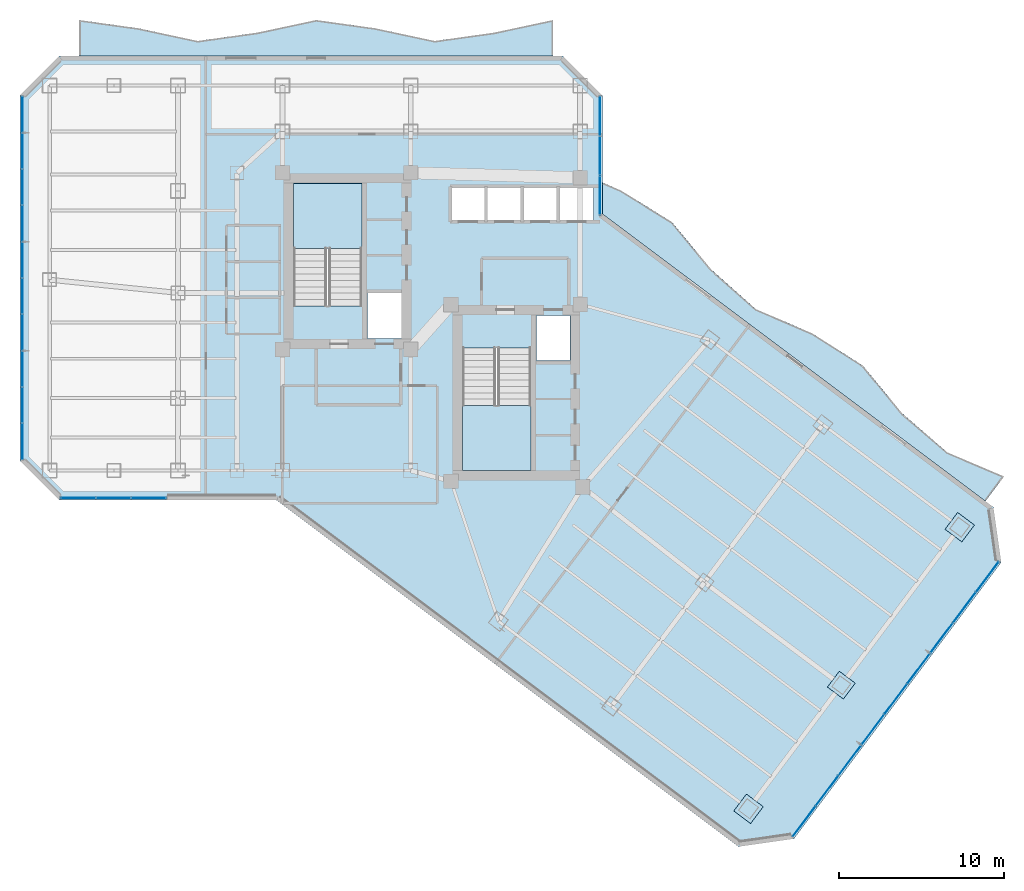
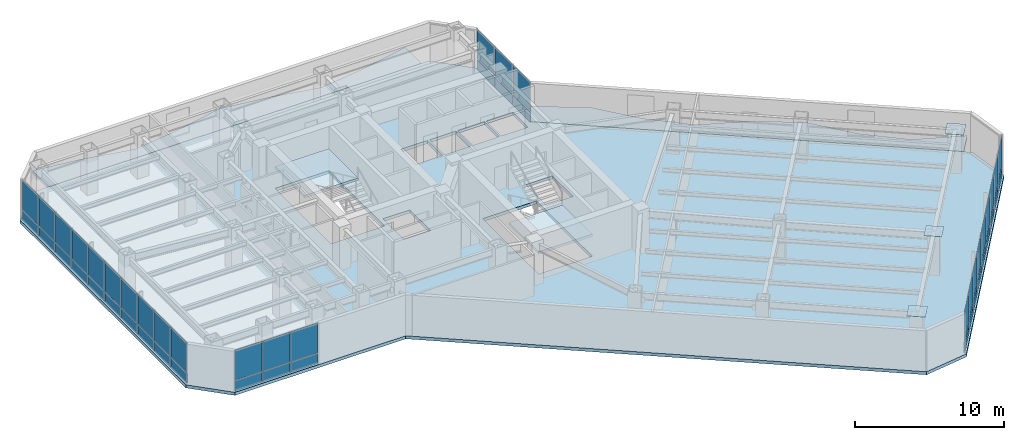
# One storey, part 20 of 29: 53 plates, 5 slabs, 6 elements without a shape of their own.
"""IFC4 building model written with IfcOpenShell, lengths in metres."""

from ifc_helpers import new_model, si_unit, direction, frame, origin, origin_2d, place, context, subcontext, project, spatial, polyline, rectangle, outline, extrude, material, layer, layer_set, type_object, element, aggregate, save


model = new_model("IFC4")

# Units and contexts
model_context = context("Model", 3, precision=1e-05, world=origin(), true_north=direction((0.0, 1.0)))
body_context = subcontext(model_context, "Body", "Model", "MODEL_VIEW")
ifc_project = project(units=[si_unit("LENGTHUNIT", "METRE"), si_unit("AREAUNIT", "SQUARE_METRE"), si_unit("VOLUMEUNIT", "CUBIC_METRE"), si_unit("PLANEANGLEUNIT", "RADIAN"), si_unit("MASSUNIT", "GRAM", prefix="KILO")], contexts=[model_context])

# Site, building, storey
site_placement = place(None, origin())
site = spatial("IfcSite", under=ifc_project, at=site_placement, CompositionType="ELEMENT")
building_placement = place(site_placement, origin())
building = spatial("IfcBuilding", under=site, at=building_placement, Name="Hatsunagi Terrace Concourse", CompositionType="ELEMENT")
storey_placement = place(building_placement, frame((0.0, 0.0, 126.449951171875)))
storey = spatial("IfcBuildingStorey", under=building, at=storey_placement, Name="L33", CompositionType="ELEMENT", Elevation=126.449951171875)

# Plates
ifc_material_1 = material(Name="Steel SN490C", Category="steel")
ifc_layer_1 = layer(ifc_material_1, 0.031982421875)
ifc_layer_set_1 = layer_set([ifc_layer_1], Name="ColumnEndCapPlate_32")
plate_type_1 = type_object("IfcPlateType", Name="ColumnEndCapPlate_32", PredefinedType="USERDEFINED", material=ifc_layer_set_1)
for number, where, z_axis, x_axis, name in (
    (1, (53.8798828125, 4.639892578125, 3.31787109375), (0.0, 0.0, 1.0), (0.799999996291, -0.600000004945, 0.0), "Hollow Column Top Cap Plate GP-03 L33-SES3"),
    (2, (66.719970703125, 21.760009765625, 3.31787109375), (0.0, 0.0, 1.0), (0.799999996291, -0.600000004945, 0.0), "Hollow Column Top Cap Plate GP-03 L33-SEN3"),
):
    element("IfcPlate", number, at=place(storey_placement, frame(where, z_axis=z_axis, x_axis=x_axis)), inside=storey, type_object=plate_type_1, Name=name, ObjectType="GUSSET_PLATE", PredefinedType="USERDEFINED", context=body_context, shape_type="SweptSolid", body=[
        extrude(rectangle(XDim=1.278076171875, YDim=1.278076171875, at=origin_2d()), origin(), (0.0, 0.0, 1.0), 0.031982421875),
    ])
plate_1_placement = place(storey_placement, frame((59.52001953125, 12.159912109375, 3.31787109375), z_axis=(0.0, 0.0, 1.0), x_axis=(0.799999996291, -0.600000004945, 0.0)))
element("IfcPlate", 3, at=plate_1_placement, inside=storey, type_object=plate_type_1, Name="Hollow Column Top Cap Plate GP-03 L33-SEM3", ObjectType="GUSSET_PLATE", PredefinedType="USERDEFINED", context=body_context, shape_type="SweptSolid", body=[
    extrude(rectangle(XDim=1.20703125, YDim=1.20703125, at=origin_2d()), origin(), (0.0, 0.0, 1.0), 0.031982421875),
])

# Curtain wall, plates
ifc_material_2 = material(Name="Anodised Aluminium Alloy 6063-T5", Category="aluminium")
ifc_layer_2 = layer(ifc_material_2, 0.199951171875)
ifc_layer_set_2 = layer_set([ifc_layer_2], Name="OfficeZone1_CW03")
curtain_wall_type = type_object("IfcCurtainWallType", Name="OfficeZone1_CW03", PredefinedType="NOTDEFINED", material=ifc_layer_set_2)
curtain_wall_1_placement = place(storey_placement, origin())
curtain_wall_1 = element("IfcCurtainWall", 4, at=curtain_wall_1_placement, inside=storey, type_object=curtain_wall_type, Name="Unitised Curtain Wall CW-03 CW-L33-03", PredefinedType="NOTDEFINED")
ifc_material_3 = material(Name="Warm Terracotta Ceramic Spandrel Panel", Category="masonry")
ifc_layer_3 = layer(ifc_material_3, 0.031982421875)
ifc_layer_set_3 = layer_set([ifc_layer_3], Name="CurtainWallSpandrelPanel_32")
plate_type_2 = type_object("IfcPlateType", Name="CurtainWallSpandrelPanel_32", PredefinedType="SHEET", material=ifc_layer_set_3)
plate_2_placement = place(storey_placement, frame((68.39697265625, 18.72998046875, 0.030029296875), z_axis=(0.0, 0.0, 1.0), x_axis=(-0.599969314634, -0.800023013105, 0.0)))
plate_2 = element("IfcPlate", 5, at=plate_2_placement, type_object=plate_type_2, Name="Terracotta Spandrel Panel SPN-01", PredefinedType="SHEET", context=body_context, shape_type="SweptSolid", body=[
    extrude(rectangle(XDim=2.264892578125, YDim=0.031982421875, at=origin_2d()), origin(), (0.0, 0.0, 1.0), 0.7900390625),
])
plate_3_placement = place(storey_placement, frame((67.0048828125, 16.873046875, 0.030029296875), z_axis=(0.0, 0.0, 1.0), x_axis=(-0.599969314634, -0.800023013105, 0.0)))
plate_3 = element("IfcPlate", 6, at=plate_3_placement, type_object=plate_type_2, Name="Terracotta Spandrel Panel SPN-01", PredefinedType="SHEET", context=body_context, shape_type="SweptSolid", body=[
    extrude(rectangle(XDim=2.264892578125, YDim=0.031982421875, at=origin_2d()), origin(), (0.0, 0.0, 1.0), 0.7900390625),
])
plate_4_placement = place(storey_placement, frame((65.612060546875, 15.01708984375, 0.030029296875), z_axis=(0.0, 0.0, 1.0), x_axis=(-0.599969314634, -0.800023013105, 0.0)))
plate_4 = element("IfcPlate", 7, at=plate_4_placement, type_object=plate_type_2, Name="Terracotta Spandrel Panel SPN-01", PredefinedType="SHEET", context=body_context, shape_type="SweptSolid", body=[
    extrude(rectangle(XDim=2.264892578125, YDim=0.031982421875, at=origin_2d()), origin(), (0.0, 0.0, 1.0), 0.7900390625),
])
plate_5_placement = place(storey_placement, frame((64.219970703125, 13.159912109375, 0.030029296875), z_axis=(0.0, 0.0, 1.0), x_axis=(-0.599969314634, -0.800023013105, 0.0)))
plate_5 = element("IfcPlate", 8, at=plate_5_placement, type_object=plate_type_2, Name="Terracotta Spandrel Panel SPN-01", PredefinedType="SHEET", context=body_context, shape_type="SweptSolid", body=[
    extrude(rectangle(XDim=2.264892578125, YDim=0.031982421875, at=origin_2d()), origin(), (0.0, 0.0, 1.0), 0.7900390625),
])
plate_6_placement = place(storey_placement, frame((62.827880859375, 11.303955078125, 0.030029296875), z_axis=(0.0, 0.0, 1.0), x_axis=(-0.599969314634, -0.800023013105, 0.0)))
plate_6 = element("IfcPlate", 9, at=plate_6_placement, type_object=plate_type_2, Name="Terracotta Spandrel Panel SPN-01", PredefinedType="SHEET", context=body_context, shape_type="SweptSolid", body=[
    extrude(rectangle(XDim=2.264892578125, YDim=0.031982421875, at=origin_2d()), origin(), (0.0, 0.0, 1.0), 0.7900390625),
])
plate_7_placement = place(storey_placement, frame((61.43603515625, 9.447998046875, 0.030029296875), z_axis=(0.0, 0.0, 1.0), x_axis=(-0.599969314634, -0.800023013105, 0.0)))
plate_7 = element("IfcPlate", 10, at=plate_7_placement, type_object=plate_type_2, Name="Terracotta Spandrel Panel SPN-01", PredefinedType="SHEET", context=body_context, shape_type="SweptSolid", body=[
    extrude(rectangle(XDim=2.264892578125, YDim=0.031982421875, at=origin_2d()), origin(), (0.0, 0.0, 1.0), 0.7900390625),
])
plate_8_placement = place(storey_placement, frame((60.0439453125, 7.591064453125, 0.030029296875), z_axis=(0.0, 0.0, 1.0), x_axis=(-0.599969314634, -0.800023013105, 0.0)))
plate_8 = element("IfcPlate", 11, at=plate_8_placement, type_object=plate_type_2, Name="Terracotta Spandrel Panel SPN-01", PredefinedType="SHEET", context=body_context, shape_type="SweptSolid", body=[
    extrude(rectangle(XDim=2.264892578125, YDim=0.031982421875, at=origin_2d()), origin(), (0.0, 0.0, 1.0), 0.7900390625),
])
plate_9_placement = place(storey_placement, frame((58.65087890625, 5.735107421875, 0.030029296875), z_axis=(0.0, 0.0, 1.0), x_axis=(-0.599969314634, -0.800023013105, 0.0)))
plate_9 = element("IfcPlate", 12, at=plate_9_placement, type_object=plate_type_2, Name="Terracotta Spandrel Panel SPN-01", PredefinedType="SHEET", context=body_context, shape_type="SweptSolid", body=[
    extrude(rectangle(XDim=2.264892578125, YDim=0.031982421875, at=origin_2d()), origin(), (0.0, 0.0, 1.0), 0.7900390625),
])
plate_10_placement = place(storey_placement, frame((57.259033203125, 3.8779296875, 0.030029296875), z_axis=(0.0, 0.0, 1.0), x_axis=(-0.599969314634, -0.800023013105, 0.0)))
plate_10 = element("IfcPlate", 13, at=plate_10_placement, type_object=plate_type_2, Name="Terracotta Spandrel Panel SPN-01", PredefinedType="SHEET", context=body_context, shape_type="SweptSolid", body=[
    extrude(rectangle(XDim=2.264892578125, YDim=0.031982421875, at=origin_2d()), origin(), (0.0, 0.0, 1.0), 0.7900390625),
])

curtain_wall_2_placement = place(storey_placement, origin())
curtain_wall_2 = element("IfcCurtainWall", 14, at=curtain_wall_2_placement, inside=storey, type_object=curtain_wall_type, Name="Unitised Curtain Wall CW-03 CW-L33-07", PredefinedType="NOTDEFINED")
plate_11_placement = place(storey_placement, frame((17.426025390625, 23.5400390625, 0.030029296875), z_axis=(0.0, 0.0, 1.0), x_axis=(-1.0, 0.0, 0.0)))
plate_11 = element("IfcPlate", 15, at=plate_11_placement, type_object=plate_type_2, Name="Terracotta Spandrel Panel SPN-01", PredefinedType="SHEET", context=body_context, shape_type="SweptSolid", body=[
    extrude(rectangle(XDim=2.092041015625, YDim=0.031982421875, at=origin_2d()), origin(), (0.0, 0.0, 1.0), 0.7900390625),
])
plate_12_placement = place(storey_placement, frame((15.279052734375, 23.5400390625, 0.030029296875), z_axis=(0.0, 0.0, 1.0), x_axis=(-1.0, 0.0, 0.0)))
plate_12 = element("IfcPlate", 16, at=plate_12_placement, type_object=plate_type_2, Name="Terracotta Spandrel Panel SPN-01", PredefinedType="SHEET", context=body_context, shape_type="SweptSolid", body=[
    extrude(rectangle(XDim=2.092041015625, YDim=0.031982421875, at=origin_2d()), origin(), (0.0, 0.0, 1.0), 0.7900390625),
])
plate_13_placement = place(storey_placement, frame((13.132080078125, 23.5400390625, 0.030029296875), z_axis=(0.0, 0.0, 1.0), x_axis=(-1.0, 0.0, 0.0)))
plate_13 = element("IfcPlate", 17, at=plate_13_placement, type_object=plate_type_2, Name="Terracotta Spandrel Panel SPN-01", PredefinedType="SHEET", context=body_context, shape_type="SweptSolid", body=[
    extrude(rectangle(XDim=2.092041015625, YDim=0.031982421875, at=origin_2d()), origin(), (0.0, 0.0, 1.0), 0.7900390625),
])

curtain_wall_3_placement = place(storey_placement, origin())
curtain_wall_3 = element("IfcCurtainWall", 18, at=curtain_wall_3_placement, inside=storey, type_object=curtain_wall_type, Name="Unitised Curtain Wall CW-03 CW-L33-09", PredefinedType="NOTDEFINED")
plate_14_placement = place(storey_placement, frame((9.739990234375, 26.9619140625, 0.030029296875), z_axis=(0.0, 0.0, 1.0), x_axis=(0.0, 1.0, 0.0)))
plate_14 = element("IfcPlate", 19, at=plate_14_placement, type_object=plate_type_2, Name="Terracotta Spandrel Panel SPN-01", PredefinedType="SHEET", context=body_context, shape_type="SweptSolid", body=[
    extrude(rectangle(XDim=2.153076171875, YDim=0.031982421875, at=origin_2d()), origin(), (0.0, 0.0, 1.0), 0.7900390625),
])
plate_15_placement = place(storey_placement, frame((9.739990234375, 29.1708984375, 0.030029296875), z_axis=(0.0, 0.0, 1.0), x_axis=(0.0, 1.0, 0.0)))
plate_15 = element("IfcPlate", 20, at=plate_15_placement, type_object=plate_type_2, Name="Terracotta Spandrel Panel SPN-01", PredefinedType="SHEET", context=body_context, shape_type="SweptSolid", body=[
    extrude(rectangle(XDim=2.153076171875, YDim=0.031982421875, at=origin_2d()), origin(), (0.0, 0.0, 1.0), 0.7900390625),
])
plate_16_placement = place(storey_placement, frame((9.739990234375, 31.37890625, 0.030029296875), z_axis=(0.0, 0.0, 1.0), x_axis=(0.0, 1.0, 0.0)))
plate_16 = element("IfcPlate", 21, at=plate_16_placement, type_object=plate_type_2, Name="Terracotta Spandrel Panel SPN-01", PredefinedType="SHEET", context=body_context, shape_type="SweptSolid", body=[
    extrude(rectangle(XDim=2.153076171875, YDim=0.031982421875, at=origin_2d()), origin(), (0.0, 0.0, 1.0), 0.7900390625),
])
plate_17_placement = place(storey_placement, frame((9.739990234375, 33.5869140625, 0.030029296875), z_axis=(0.0, 0.0, 1.0), x_axis=(0.0, 1.0, 0.0)))
plate_17 = element("IfcPlate", 22, at=plate_17_placement, type_object=plate_type_2, Name="Terracotta Spandrel Panel SPN-01", PredefinedType="SHEET", context=body_context, shape_type="SweptSolid", body=[
    extrude(rectangle(XDim=2.153076171875, YDim=0.031982421875, at=origin_2d()), origin(), (0.0, 0.0, 1.0), 0.7900390625),
])
plate_18_placement = place(storey_placement, frame((9.739990234375, 35.7958984375, 0.030029296875), z_axis=(0.0, 0.0, 1.0), x_axis=(0.0, 1.0, 0.0)))
plate_18 = element("IfcPlate", 23, at=plate_18_placement, type_object=plate_type_2, Name="Terracotta Spandrel Panel SPN-01", PredefinedType="SHEET", context=body_context, shape_type="SweptSolid", body=[
    extrude(rectangle(XDim=2.153076171875, YDim=0.031982421875, at=origin_2d()), origin(), (0.0, 0.0, 1.0), 0.7900390625),
])
plate_19_placement = place(storey_placement, frame((9.739990234375, 38.00390625, 0.030029296875), z_axis=(0.0, 0.0, 1.0), x_axis=(0.0, 1.0, 0.0)))
plate_19 = element("IfcPlate", 24, at=plate_19_placement, type_object=plate_type_2, Name="Terracotta Spandrel Panel SPN-01", PredefinedType="SHEET", context=body_context, shape_type="SweptSolid", body=[
    extrude(rectangle(XDim=2.153076171875, YDim=0.031982421875, at=origin_2d()), origin(), (0.0, 0.0, 1.0), 0.7900390625),
])
plate_20_placement = place(storey_placement, frame((9.739990234375, 40.212890625, 0.030029296875), z_axis=(0.0, 0.0, 1.0), x_axis=(0.0, 1.0, 0.0)))
plate_20 = element("IfcPlate", 25, at=plate_20_placement, type_object=plate_type_2, Name="Terracotta Spandrel Panel SPN-01", PredefinedType="SHEET", context=body_context, shape_type="SweptSolid", body=[
    extrude(rectangle(XDim=2.153076171875, YDim=0.031982421875, at=origin_2d()), origin(), (0.0, 0.0, 1.0), 0.7900390625),
])
plate_21_placement = place(storey_placement, frame((9.739990234375, 42.4208984375, 0.030029296875), z_axis=(0.0, 0.0, 1.0), x_axis=(0.0, 1.0, 0.0)))
plate_21 = element("IfcPlate", 26, at=plate_21_placement, type_object=plate_type_2, Name="Terracotta Spandrel Panel SPN-01", PredefinedType="SHEET", context=body_context, shape_type="SweptSolid", body=[
    extrude(rectangle(XDim=2.153076171875, YDim=0.031982421875, at=origin_2d()), origin(), (0.0, 0.0, 1.0), 0.7900390625),
])
plate_22_placement = place(storey_placement, frame((9.739990234375, 44.62890625, 0.030029296875), z_axis=(0.0, 0.0, 1.0), x_axis=(0.0, 1.0, 0.0)))
plate_22 = element("IfcPlate", 27, at=plate_22_placement, type_object=plate_type_2, Name="Terracotta Spandrel Panel SPN-01", PredefinedType="SHEET", context=body_context, shape_type="SweptSolid", body=[
    extrude(rectangle(XDim=2.153076171875, YDim=0.031982421875, at=origin_2d()), origin(), (0.0, 0.0, 1.0), 0.7900390625),
])
plate_23_placement = place(storey_placement, frame((9.739990234375, 46.837890625, 0.030029296875), z_axis=(0.0, 0.0, 1.0), x_axis=(0.0, 1.0, 0.0)))
plate_23 = element("IfcPlate", 28, at=plate_23_placement, type_object=plate_type_2, Name="Terracotta Spandrel Panel SPN-01", PredefinedType="SHEET", context=body_context, shape_type="SweptSolid", body=[
    extrude(rectangle(XDim=2.153076171875, YDim=0.031982421875, at=origin_2d()), origin(), (0.0, 0.0, 1.0), 0.7900390625),
])

curtain_wall_4_placement = place(storey_placement, origin())
curtain_wall_4 = element("IfcCurtainWall", 29, at=curtain_wall_4_placement, inside=storey, type_object=curtain_wall_type, Name="Unitised Curtain Wall CW-03 CW-L33-13", PredefinedType="NOTDEFINED")
plate_24_placement = place(storey_placement, frame((44.860107421875, 46.739990234375, 0.030029296875), z_axis=(0.0, 0.0, 1.0), x_axis=(0.0, -1.0, 0.0)))
plate_24 = element("IfcPlate", 30, at=plate_24_placement, type_object=plate_type_2, Name="Terracotta Spandrel Panel SPN-01", PredefinedType="SHEET", context=body_context, shape_type="SweptSolid", body=[
    extrude(rectangle(XDim=2.34912109375, YDim=0.031982421875, at=origin_2d()), origin(), (0.0, 0.0, 1.0), 0.7900390625),
])
plate_25_placement = place(storey_placement, frame((44.860107421875, 44.3359375, 0.030029296875), z_axis=(0.0, 0.0, 1.0), x_axis=(0.0, -1.0, 0.0)))
plate_25 = element("IfcPlate", 31, at=plate_25_placement, type_object=plate_type_2, Name="Terracotta Spandrel Panel SPN-01", PredefinedType="SHEET", context=body_context, shape_type="SweptSolid", body=[
    extrude(rectangle(XDim=2.34912109375, YDim=0.031982421875, at=origin_2d()), origin(), (0.0, 0.0, 1.0), 0.7900390625),
])
plate_26_placement = place(storey_placement, frame((44.860107421875, 41.931884765625, 0.030029296875), z_axis=(0.0, 0.0, 1.0), x_axis=(0.0, -1.0, 0.0)))
plate_26 = element("IfcPlate", 32, at=plate_26_placement, type_object=plate_type_2, Name="Terracotta Spandrel Panel SPN-01", PredefinedType="SHEET", context=body_context, shape_type="SweptSolid", body=[
    extrude(rectangle(XDim=2.34912109375, YDim=0.031982421875, at=origin_2d()), origin(), (0.0, 0.0, 1.0), 0.7900390625),
])

# Plate
ifc_material_4 = material(Name="Low-E Double Insulating Glass 28mm", Category="glass")
ifc_layer_4 = layer(ifc_material_4, 0.028076171875)
ifc_layer_set_4 = layer_set([ifc_layer_4], Name="CurtainWallVisionGlass_28")
plate_type_3 = type_object("IfcPlateType", Name="CurtainWallVisionGlass_28", PredefinedType="CURTAIN_PANEL", material=ifc_layer_set_4)
plate_27_placement = place(storey_placement, frame((68.39697265625, 18.72998046875, 0.8798828125), z_axis=(0.0, 0.0, 1.0), x_axis=(-0.599969314634, -0.800023013105, 0.0)))
plate_27 = element("IfcPlate", 33, at=plate_27_placement, type_object=plate_type_3, Name="Low-E Vision Glass Panel GLZ-01", PredefinedType="CURTAIN_PANEL", context=body_context, shape_type="SweptSolid", body=[
    extrude(rectangle(XDim=2.264892578125, YDim=0.028076171875, at=origin_2d()), origin(), (0.0, 0.0, 1.0), 2.429931640625),
])

plate_28_placement = place(storey_placement, frame((67.0048828125, 16.873046875, 0.8798828125), z_axis=(0.0, 0.0, 1.0), x_axis=(-0.599969314634, -0.800023013105, 0.0)))
plate_28 = element("IfcPlate", 34, at=plate_28_placement, type_object=plate_type_3, Name="Low-E Vision Glass Panel GLZ-01", PredefinedType="CURTAIN_PANEL", context=body_context, shape_type="SweptSolid", body=[
    extrude(rectangle(XDim=2.264892578125, YDim=0.028076171875, at=origin_2d()), origin(), (0.0, 0.0, 1.0), 2.429931640625),
])

plate_29_placement = place(storey_placement, frame((65.612060546875, 15.01708984375, 0.8798828125), z_axis=(0.0, 0.0, 1.0), x_axis=(-0.599969314634, -0.800023013105, 0.0)))
plate_29 = element("IfcPlate", 35, at=plate_29_placement, type_object=plate_type_3, Name="Low-E Vision Glass Panel GLZ-01", PredefinedType="CURTAIN_PANEL", context=body_context, shape_type="SweptSolid", body=[
    extrude(rectangle(XDim=2.264892578125, YDim=0.028076171875, at=origin_2d()), origin(), (0.0, 0.0, 1.0), 2.429931640625),
])

plate_30_placement = place(storey_placement, frame((64.219970703125, 13.159912109375, 0.8798828125), z_axis=(0.0, 0.0, 1.0), x_axis=(-0.599969314634, -0.800023013105, 0.0)))
plate_30 = element("IfcPlate", 36, at=plate_30_placement, type_object=plate_type_3, Name="Low-E Vision Glass Panel GLZ-01", PredefinedType="CURTAIN_PANEL", context=body_context, shape_type="SweptSolid", body=[
    extrude(rectangle(XDim=2.264892578125, YDim=0.028076171875, at=origin_2d()), origin(), (0.0, 0.0, 1.0), 2.429931640625),
])

plate_31_placement = place(storey_placement, frame((62.827880859375, 11.303955078125, 0.8798828125), z_axis=(0.0, 0.0, 1.0), x_axis=(-0.599969314634, -0.800023013105, 0.0)))
plate_31 = element("IfcPlate", 37, at=plate_31_placement, type_object=plate_type_3, Name="Low-E Vision Glass Panel GLZ-01", PredefinedType="CURTAIN_PANEL", context=body_context, shape_type="SweptSolid", body=[
    extrude(rectangle(XDim=2.264892578125, YDim=0.028076171875, at=origin_2d()), origin(), (0.0, 0.0, 1.0), 2.429931640625),
])

plate_32_placement = place(storey_placement, frame((61.43603515625, 9.447998046875, 0.8798828125), z_axis=(0.0, 0.0, 1.0), x_axis=(-0.599969314634, -0.800023013105, 0.0)))
plate_32 = element("IfcPlate", 38, at=plate_32_placement, type_object=plate_type_3, Name="Low-E Vision Glass Panel GLZ-01", PredefinedType="CURTAIN_PANEL", context=body_context, shape_type="SweptSolid", body=[
    extrude(rectangle(XDim=2.264892578125, YDim=0.028076171875, at=origin_2d()), origin(), (0.0, 0.0, 1.0), 2.429931640625),
])

plate_33_placement = place(storey_placement, frame((60.0439453125, 7.591064453125, 0.8798828125), z_axis=(0.0, 0.0, 1.0), x_axis=(-0.599969314634, -0.800023013105, 0.0)))
plate_33 = element("IfcPlate", 39, at=plate_33_placement, type_object=plate_type_3, Name="Low-E Vision Glass Panel GLZ-01", PredefinedType="CURTAIN_PANEL", context=body_context, shape_type="SweptSolid", body=[
    extrude(rectangle(XDim=2.264892578125, YDim=0.028076171875, at=origin_2d()), origin(), (0.0, 0.0, 1.0), 2.429931640625),
])

plate_34_placement = place(storey_placement, frame((58.65087890625, 5.735107421875, 0.8798828125), z_axis=(0.0, 0.0, 1.0), x_axis=(-0.599969314634, -0.800023013105, 0.0)))
plate_34 = element("IfcPlate", 40, at=plate_34_placement, type_object=plate_type_3, Name="Low-E Vision Glass Panel GLZ-01", PredefinedType="CURTAIN_PANEL", context=body_context, shape_type="SweptSolid", body=[
    extrude(rectangle(XDim=2.264892578125, YDim=0.028076171875, at=origin_2d()), origin(), (0.0, 0.0, 1.0), 2.429931640625),
])

plate_35_placement = place(storey_placement, frame((57.259033203125, 3.8779296875, 0.8798828125), z_axis=(0.0, 0.0, 1.0), x_axis=(-0.599969314634, -0.800023013105, 0.0)))
plate_35 = element("IfcPlate", 41, at=plate_35_placement, type_object=plate_type_3, Name="Low-E Vision Glass Panel GLZ-01", PredefinedType="CURTAIN_PANEL", context=body_context, shape_type="SweptSolid", body=[
    extrude(rectangle(XDim=2.264892578125, YDim=0.028076171875, at=origin_2d()), origin(), (0.0, 0.0, 1.0), 2.429931640625),
])

aggregate(curtain_wall_1, [plate_2, plate_27, plate_3, plate_28, plate_4, plate_29, plate_5, plate_30, plate_6, plate_31, plate_7, plate_32, plate_8, plate_33, plate_9, plate_34, plate_10, plate_35])

plate_36_placement = place(storey_placement, frame((17.426025390625, 23.5400390625, 0.8798828125), z_axis=(0.0, 0.0, 1.0), x_axis=(-1.0, 0.0, 0.0)))
plate_36 = element("IfcPlate", 42, at=plate_36_placement, type_object=plate_type_3, Name="Low-E Vision Glass Panel GLZ-01", PredefinedType="CURTAIN_PANEL", context=body_context, shape_type="SweptSolid", body=[
    extrude(rectangle(XDim=2.092041015625, YDim=0.028076171875, at=origin_2d()), origin(), (0.0, 0.0, 1.0), 2.429931640625),
])

plate_37_placement = place(storey_placement, frame((15.279052734375, 23.5400390625, 0.8798828125), z_axis=(0.0, 0.0, 1.0), x_axis=(-1.0, 0.0, 0.0)))
plate_37 = element("IfcPlate", 43, at=plate_37_placement, type_object=plate_type_3, Name="Low-E Vision Glass Panel GLZ-01", PredefinedType="CURTAIN_PANEL", context=body_context, shape_type="SweptSolid", body=[
    extrude(rectangle(XDim=2.092041015625, YDim=0.028076171875, at=origin_2d()), origin(), (0.0, 0.0, 1.0), 2.429931640625),
])

plate_38_placement = place(storey_placement, frame((13.132080078125, 23.5400390625, 0.8798828125), z_axis=(0.0, 0.0, 1.0), x_axis=(-1.0, 0.0, 0.0)))
plate_38 = element("IfcPlate", 44, at=plate_38_placement, type_object=plate_type_3, Name="Low-E Vision Glass Panel GLZ-01", PredefinedType="CURTAIN_PANEL", context=body_context, shape_type="SweptSolid", body=[
    extrude(rectangle(XDim=2.092041015625, YDim=0.028076171875, at=origin_2d()), origin(), (0.0, 0.0, 1.0), 2.429931640625),
])

aggregate(curtain_wall_2, [plate_11, plate_36, plate_12, plate_37, plate_13, plate_38])

plate_39_placement = place(storey_placement, frame((9.739990234375, 26.9619140625, 0.8798828125), z_axis=(0.0, 0.0, 1.0), x_axis=(0.0, 1.0, 0.0)))
plate_39 = element("IfcPlate", 45, at=plate_39_placement, type_object=plate_type_3, Name="Low-E Vision Glass Panel GLZ-01", PredefinedType="CURTAIN_PANEL", context=body_context, shape_type="SweptSolid", body=[
    extrude(rectangle(XDim=2.153076171875, YDim=0.028076171875, at=origin_2d()), origin(), (0.0, 0.0, 1.0), 2.429931640625),
])

plate_40_placement = place(storey_placement, frame((9.739990234375, 29.1708984375, 0.8798828125), z_axis=(0.0, 0.0, 1.0), x_axis=(0.0, 1.0, 0.0)))
plate_40 = element("IfcPlate", 46, at=plate_40_placement, type_object=plate_type_3, Name="Low-E Vision Glass Panel GLZ-01", PredefinedType="CURTAIN_PANEL", context=body_context, shape_type="SweptSolid", body=[
    extrude(rectangle(XDim=2.153076171875, YDim=0.028076171875, at=origin_2d()), origin(), (0.0, 0.0, 1.0), 2.429931640625),
])

plate_41_placement = place(storey_placement, frame((9.739990234375, 31.37890625, 0.8798828125), z_axis=(0.0, 0.0, 1.0), x_axis=(0.0, 1.0, 0.0)))
plate_41 = element("IfcPlate", 47, at=plate_41_placement, type_object=plate_type_3, Name="Low-E Vision Glass Panel GLZ-01", PredefinedType="CURTAIN_PANEL", context=body_context, shape_type="SweptSolid", body=[
    extrude(rectangle(XDim=2.153076171875, YDim=0.028076171875, at=origin_2d()), origin(), (0.0, 0.0, 1.0), 2.429931640625),
])

plate_42_placement = place(storey_placement, frame((9.739990234375, 33.5869140625, 0.8798828125), z_axis=(0.0, 0.0, 1.0), x_axis=(0.0, 1.0, 0.0)))
plate_42 = element("IfcPlate", 48, at=plate_42_placement, type_object=plate_type_3, Name="Low-E Vision Glass Panel GLZ-01", PredefinedType="CURTAIN_PANEL", context=body_context, shape_type="SweptSolid", body=[
    extrude(rectangle(XDim=2.153076171875, YDim=0.028076171875, at=origin_2d()), origin(), (0.0, 0.0, 1.0), 2.429931640625),
])

plate_43_placement = place(storey_placement, frame((9.739990234375, 35.7958984375, 0.8798828125), z_axis=(0.0, 0.0, 1.0), x_axis=(0.0, 1.0, 0.0)))
plate_43 = element("IfcPlate", 49, at=plate_43_placement, type_object=plate_type_3, Name="Low-E Vision Glass Panel GLZ-01", PredefinedType="CURTAIN_PANEL", context=body_context, shape_type="SweptSolid", body=[
    extrude(rectangle(XDim=2.153076171875, YDim=0.028076171875, at=origin_2d()), origin(), (0.0, 0.0, 1.0), 2.429931640625),
])

plate_44_placement = place(storey_placement, frame((9.739990234375, 38.00390625, 0.8798828125), z_axis=(0.0, 0.0, 1.0), x_axis=(0.0, 1.0, 0.0)))
plate_44 = element("IfcPlate", 50, at=plate_44_placement, type_object=plate_type_3, Name="Low-E Vision Glass Panel GLZ-01", PredefinedType="CURTAIN_PANEL", context=body_context, shape_type="SweptSolid", body=[
    extrude(rectangle(XDim=2.153076171875, YDim=0.028076171875, at=origin_2d()), origin(), (0.0, 0.0, 1.0), 2.429931640625),
])

plate_45_placement = place(storey_placement, frame((9.739990234375, 40.212890625, 0.8798828125), z_axis=(0.0, 0.0, 1.0), x_axis=(0.0, 1.0, 0.0)))
plate_45 = element("IfcPlate", 51, at=plate_45_placement, type_object=plate_type_3, Name="Low-E Vision Glass Panel GLZ-01", PredefinedType="CURTAIN_PANEL", context=body_context, shape_type="SweptSolid", body=[
    extrude(rectangle(XDim=2.153076171875, YDim=0.028076171875, at=origin_2d()), origin(), (0.0, 0.0, 1.0), 2.429931640625),
])

plate_46_placement = place(storey_placement, frame((9.739990234375, 42.4208984375, 0.8798828125), z_axis=(0.0, 0.0, 1.0), x_axis=(0.0, 1.0, 0.0)))
plate_46 = element("IfcPlate", 52, at=plate_46_placement, type_object=plate_type_3, Name="Low-E Vision Glass Panel GLZ-01", PredefinedType="CURTAIN_PANEL", context=body_context, shape_type="SweptSolid", body=[
    extrude(rectangle(XDim=2.153076171875, YDim=0.028076171875, at=origin_2d()), origin(), (0.0, 0.0, 1.0), 2.429931640625),
])

plate_47_placement = place(storey_placement, frame((9.739990234375, 44.62890625, 0.8798828125), z_axis=(0.0, 0.0, 1.0), x_axis=(0.0, 1.0, 0.0)))
plate_47 = element("IfcPlate", 53, at=plate_47_placement, type_object=plate_type_3, Name="Low-E Vision Glass Panel GLZ-01", PredefinedType="CURTAIN_PANEL", context=body_context, shape_type="SweptSolid", body=[
    extrude(rectangle(XDim=2.153076171875, YDim=0.028076171875, at=origin_2d()), origin(), (0.0, 0.0, 1.0), 2.429931640625),
])

plate_48_placement = place(storey_placement, frame((9.739990234375, 46.837890625, 0.8798828125), z_axis=(0.0, 0.0, 1.0), x_axis=(0.0, 1.0, 0.0)))
plate_48 = element("IfcPlate", 54, at=plate_48_placement, type_object=plate_type_3, Name="Low-E Vision Glass Panel GLZ-01", PredefinedType="CURTAIN_PANEL", context=body_context, shape_type="SweptSolid", body=[
    extrude(rectangle(XDim=2.153076171875, YDim=0.028076171875, at=origin_2d()), origin(), (0.0, 0.0, 1.0), 2.429931640625),
])

aggregate(curtain_wall_3, [plate_14, plate_39, plate_15, plate_40, plate_16, plate_41, plate_17, plate_42, plate_18, plate_43, plate_19, plate_44, plate_20, plate_45, plate_21, plate_46, plate_22, plate_47, plate_23, plate_48])

plate_49_placement = place(storey_placement, frame((44.860107421875, 46.739990234375, 0.8798828125), z_axis=(0.0, 0.0, 1.0), x_axis=(0.0, -1.0, 0.0)))
plate_49 = element("IfcPlate", 55, at=plate_49_placement, type_object=plate_type_3, Name="Low-E Vision Glass Panel GLZ-01", PredefinedType="CURTAIN_PANEL", context=body_context, shape_type="SweptSolid", body=[
    extrude(rectangle(XDim=2.34912109375, YDim=0.028076171875, at=origin_2d()), origin(), (0.0, 0.0, 1.0), 2.429931640625),
])

plate_50_placement = place(storey_placement, frame((44.860107421875, 44.3359375, 0.8798828125), z_axis=(0.0, 0.0, 1.0), x_axis=(0.0, -1.0, 0.0)))
plate_50 = element("IfcPlate", 56, at=plate_50_placement, type_object=plate_type_3, Name="Low-E Vision Glass Panel GLZ-01", PredefinedType="CURTAIN_PANEL", context=body_context, shape_type="SweptSolid", body=[
    extrude(rectangle(XDim=2.34912109375, YDim=0.028076171875, at=origin_2d()), origin(), (0.0, 0.0, 1.0), 2.429931640625),
])

plate_51_placement = place(storey_placement, frame((44.860107421875, 41.931884765625, 0.8798828125), z_axis=(0.0, 0.0, 1.0), x_axis=(0.0, -1.0, 0.0)))
plate_51 = element("IfcPlate", 57, at=plate_51_placement, type_object=plate_type_3, Name="Low-E Vision Glass Panel GLZ-01", PredefinedType="CURTAIN_PANEL", context=body_context, shape_type="SweptSolid", body=[
    extrude(rectangle(XDim=2.34912109375, YDim=0.028076171875, at=origin_2d()), origin(), (0.0, 0.0, 1.0), 2.429931640625),
])

aggregate(curtain_wall_4, [plate_24, plate_49, plate_25, plate_50, plate_26, plate_51])

# Stair, slab
ifc_material_5 = material(Name="Concrete Fc42", Category="concrete")
stair_type = type_object("IfcStairType", Name="DoglegExitStair_Tower2000_20R_180", PredefinedType="HALF_TURN_STAIR", material=ifc_material_5)
stair_1_placement = place(storey_placement, origin())
stair_1 = element("IfcStair", 58, at=stair_1_placement, inside=storey, type_object=stair_type, Name="L33 Core A Protected Exit Stair ST-A", PredefinedType="HALF_TURN_STAIR")
ifc_material_6 = material(Name="Concrete Fc42", Category="concrete")
ifc_layer_5 = layer(ifc_material_6, 0.199951171875)
ifc_layer_set_5 = layer_set([ifc_layer_5], Name="DoglegStairLanding_Tower2000")
slab_type_1 = type_object("IfcSlabType", Name="DoglegStairLanding_Tower2000", PredefinedType="LANDING", material=ifc_layer_set_5)
slab_1_placement = place(storey_placement, frame((0.0, 0.0, 1.60009765625)))
slab_1 = element("IfcSlab", 59, at=slab_1_placement, type_object=slab_type_1, Name="ST-A landing 1", PredefinedType="LANDING", context=body_context, shape_type="SweptSolid", body=[
    extrude(outline(polyline([(30.3798828125, 38.7099609375), (30.3798828125, 42.659912109375), (26.22998046875, 42.659912109375), (26.22998046875, 38.7099609375), (30.3798828125, 38.7099609375)])), origin(), (0.0, 0.0, 1.0), 0.199951171875),
])
aggregate(stair_1, [slab_1])

stair_2_placement = place(storey_placement, origin())
stair_2 = element("IfcStair", 60, at=stair_2_placement, inside=storey, type_object=stair_type, Name="L33 Core B Protected Exit Stair ST-B", PredefinedType="HALF_TURN_STAIR")
slab_2_placement = place(storey_placement, frame((0.0, 0.0, 1.60009765625)))
slab_2 = element("IfcSlab", 61, at=slab_2_placement, type_object=slab_type_1, Name="ST-B landing 1", PredefinedType="LANDING", context=body_context, shape_type="SweptSolid", body=[
    extrude(outline(polyline([(36.5, 29.14990234375), (36.5, 25.199951171875), (40.64990234375, 25.199951171875), (40.64990234375, 29.14990234375), (36.5, 29.14990234375)])), origin(), (0.0, 0.0, 1.0), 0.199951171875),
])
aggregate(stair_2, [slab_2])

# Slabs
ifc_material_7 = material(Name="Concrete Fc42", Category="concrete")
ifc_layer_6 = layer(ifc_material_7, 0.199951171875)
ifc_layer_set_6 = layer_set([ifc_layer_6], Name="EngawaBalconySlab_Fc42_200")
slab_type_2 = type_object("IfcSlabType", Name="EngawaBalconySlab_Fc42_200", PredefinedType="FLOOR", material=ifc_layer_set_6)
slab_3_placement = place(storey_placement, frame((0.0, 0.0, -0.199951171875)))
element("IfcSlab", 62, at=slab_3_placement, inside=storey, type_object=slab_type_2, Name="Engawa Balcony Slab BAL-L33-BN", PredefinedType="FLOOR", context=body_context, shape_type="SweptSolid", body=[
    extrude(outline(polyline([(13.199951171875, 52.5859375), (13.199951171875, 50.39990234375), (42.0, 50.39990234375), (42.0, 52.5859375), (38.39990234375, 51.81494140625), (34.800048828125, 51.31396484375), (31.199951171875, 52.0849609375), (27.60009765625, 52.5859375), (24.0, 51.81494140625), (20.39990234375, 51.31396484375), (16.800048828125, 52.0849609375), (13.199951171875, 52.5859375)])), origin(), (0.0, 0.0, 1.0), 0.199951171875),
])
slab_4_placement = place(storey_placement, frame((0.0, 0.0, -0.199951171875)))
element("IfcSlab", 63, at=slab_4_placement, inside=storey, type_object=slab_type_2, Name="Engawa Balcony Slab BAL-L33-BSE", PredefinedType="FLOOR", context=body_context, shape_type="SweptSolid", body=[
    extrude(outline(polyline([(46.114013671875, 42.22998046875), (44.99609375, 42.717041015625), (44.99609375, 40.802978515625), (68.280029296875, 23.340087890625), (69.407958984375, 24.843994140625), (65.964111328125, 26.30810546875), (63.208984375, 28.68896484375), (60.833984375, 31.5791015625), (57.760986328125, 33.537109375), (54.326904296875, 35.013916015625), (51.60205078125, 37.43603515625), (49.218017578125, 40.31298828125), (46.114013671875, 42.22998046875)])), origin(), (0.0, 0.0, 1.0), 0.199951171875),
])
ifc_material_8 = material(Name="Concrete Fc42", Category="concrete")
ifc_layer_7 = layer(ifc_material_8, 0.25)
ifc_layer_set_7 = layer_set([ifc_layer_7], Name="OfficeCrownSlab_Fc42_250")
slab_type_3 = type_object("IfcSlabType", Name="OfficeCrownSlab_Fc42_250", PredefinedType="FLOOR", material=ifc_layer_set_7)
slab_5_placement = place(storey_placement, frame((0.0, 0.0, -0.25)))
element("IfcSlab", 64, at=slab_5_placement, inside=storey, type_object=slab_type_3, Name="Floor Slab SL-250 L33", PredefinedType="FLOOR", context=body_context, shape_type="SweptSolid", body=[
    extrude(outline(polyline([(45.0, 40.800048828125), (45.0, 48.0), (42.60009765625, 50.39990234375), (12.0, 50.39990234375), (9.60009765625, 48.0), (9.60009765625, 25.800048828125), (12.0, 23.39990234375), (25.199951171875, 23.39990234375), (53.280029296875, 2.340087890625), (56.639892578125, 2.820068359375), (69.239990234375, 19.6201171875), (68.760009765625, 22.97998046875), (45.0, 40.800048828125)]), holes=[polyline([(26.22998046875, 35.205078125), (30.3798828125, 35.205078125), (30.3798828125, 42.659912109375), (26.22998046875, 42.659912109375), (26.22998046875, 35.205078125)]), polyline([(36.5, 25.199951171875), (40.64990234375, 25.199951171875), (40.64990234375, 32.655029296875), (36.5, 32.655029296875), (36.5, 25.199951171875)]), polyline([(30.719970703125, 33.219970703125), (32.780029296875, 33.219970703125), (32.780029296875, 35.97998046875), (30.719970703125, 35.97998046875), (30.719970703125, 33.219970703125)]), polyline([(40.97998046875, 31.8798828125), (43.02001953125, 31.8798828125), (43.02001953125, 34.639892578125), (40.97998046875, 34.639892578125), (40.97998046875, 31.8798828125)]), polyline([(35.800048828125, 40.39990234375), (37.85009765625, 40.39990234375), (37.85009765625, 42.39990234375), (35.800048828125, 42.39990234375), (35.800048828125, 40.39990234375)]), polyline([(38.0, 40.39990234375), (40.050048828125, 40.39990234375), (40.050048828125, 42.39990234375), (38.0, 42.39990234375), (38.0, 40.39990234375)]), polyline([(40.199951171875, 40.39990234375), (42.25, 40.39990234375), (42.25, 42.39990234375), (40.199951171875, 42.39990234375), (40.199951171875, 40.39990234375)]), polyline([(42.39990234375, 40.39990234375), (44.449951171875, 40.39990234375), (44.449951171875, 42.39990234375), (42.39990234375, 42.39990234375), (42.39990234375, 40.39990234375)])]), origin(), (0.0, 0.0, 1.0), 0.25),
])

save(model, "model.ifc")
